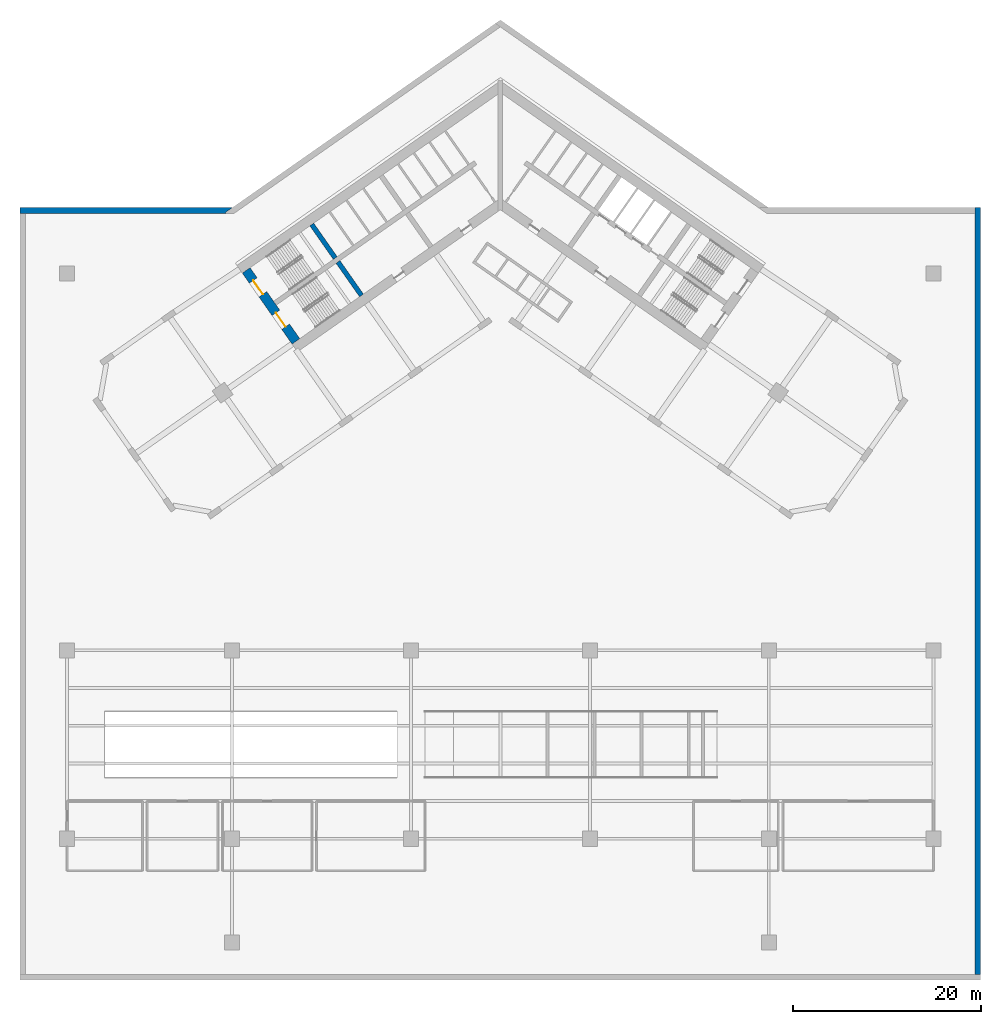
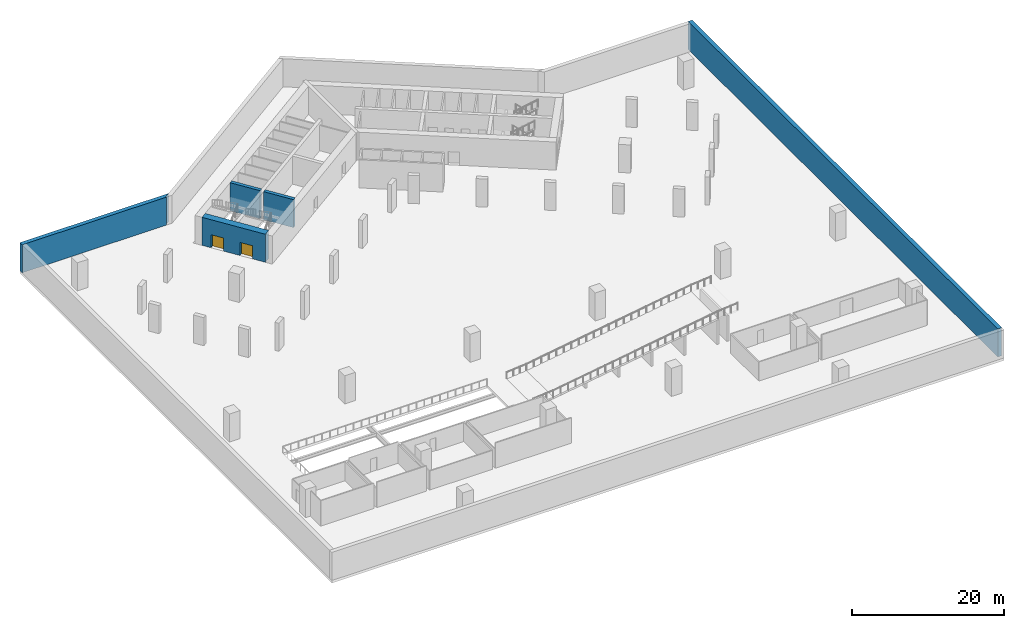
# One storey, part 6 of 11: 5 walls, 2 doors, 2 openings.
"""IFC4 building model written with IfcOpenShell, lengths in metres."""

from ifc_helpers import new_model, si_unit, direction, frame, frame_2d, origin, place, context, subcontext, project, spatial, polyline, rectangle, outline, extrude, material, layer, layer_set, type_object, element, fill, save


model = new_model("IFC4")

# Units and contexts
model_context = context("Model", 3, precision=1e-05, world=origin(), true_north=direction((0.0, 1.0)))
body_context = subcontext(model_context, "Body", "Model", "MODEL_VIEW")
ifc_project = project(units=[si_unit("LENGTHUNIT", "METRE"), si_unit("AREAUNIT", "SQUARE_METRE"), si_unit("VOLUMEUNIT", "CUBIC_METRE"), si_unit("PLANEANGLEUNIT", "RADIAN"), si_unit("MASSUNIT", "GRAM", prefix="KILO")], contexts=[model_context])

# Site, building, storey
site_placement = place(None, origin())
site = spatial("IfcSite", under=ifc_project, at=site_placement, CompositionType="ELEMENT")
building_placement = place(site_placement, origin())
building = spatial("IfcBuilding", under=site, at=building_placement, Name="Tel Ilan Convention Tower", CompositionType="ELEMENT")
storey_placement = place(building_placement, frame((0.0, 0.0, -4.5)))
storey = spatial("IfcBuildingStorey", under=building, at=storey_placement, Name="B1", CompositionType="ELEMENT", Elevation=-4.5)

# Walls
ifc_material_1 = material(Name="Concrete C40/50", Category="concrete")
ifc_layer_1 = layer(ifc_material_1, 0.60009765625)
ifc_layer_set_1 = layer_set([ifc_layer_1], Name="Basement Retaining Wall 600 mm C40/50")
wall_type_1 = type_object("IfcWallType", Name="Basement Retaining Wall 600 mm C40/50", PredefinedType="SOLIDWALL", material=ifc_layer_set_1)
wall_1_placement = place(storey_placement, frame((50.699951171875, -83.0, 0.0), z_axis=(0.0, 0.0, 1.0), x_axis=(0.0, 1.0, 0.0)))
element("IfcWall", 1, at=wall_1_placement, inside=storey, type_object=wall_type_1, Name="B1 retaining wall 2", PredefinedType="SOLIDWALL", context=body_context, shape_type="SweptSolid", body=[
    extrude(outline(polyline([(0.60009765625, -0.300048828125), (0.60009765625, 0.300048828125), (81.39990234375, 0.300048828125), (82.0, 0.300048828125), (82.0, -0.300048828125), (0.60009765625, -0.300048828125)])), origin(), (0.0, 0.0, 1.0), 4.5),
])
wall_2_placement = place(storey_placement, frame((-28.45166015625, -1.300048828125, 0.0), z_axis=(0.0, 0.0, 1.0), x_axis=(-1.0, 0.0, 0.0)))
element("IfcWall", 2, at=wall_2_placement, inside=storey, type_object=wall_type_1, Name="B1 retaining wall 6", PredefinedType="SOLIDWALL", context=body_context, shape_type="SweptSolid", body=[
    extrude(outline(polyline([(21.9482421875, 0.300048828125), (22.54833984375, 0.300048828125), (22.54833984375, -0.300048828125), (0.0, -0.300048828125), (0.737060546875, 0.216064453125), (0.678466796875, 0.300048828125), (21.9482421875, 0.300048828125)])), origin(), (0.0, 0.0, 1.0), 4.5),
])

# Wall, openings, doors
ifc_material_2 = material(Name="Concrete C60/75", Category="concrete")
ifc_layer_2 = layer(ifc_material_2, 1.0)
ifc_layer_set_2 = layer_set([ifc_layer_2], Name="Core Shear Wall 1000 mm C60/75")
wall_type_2 = type_object("IfcWallType", Name="Core Shear Wall 1000 mm C60/75", PredefinedType="SHEAR", material=ifc_layer_set_2)
wall_3_placement = place(storey_placement, frame((-21.70751953125, -15.19970703125, 0.0), z_axis=(0.0, 0.0, 1.0), x_axis=(-0.573576324356, 0.819152122709, 0.0)))
wall_3 = element("IfcWall", 3, at=wall_3_placement, inside=storey, type_object=wall_type_2, Name="B1 core wall W-end", PredefinedType="SHEAR", context=body_context, shape_type="SweptSolid", body=[
    extrude(outline(polyline([(0.0, 0.5), (0.0, -0.5), (9.199951171875, -0.5), (9.199951171875, 0.5), (0.0, 0.5)])), origin(), (0.0, 0.0, 1.0), 4.5),
])
opening_1_placement = place(wall_3_placement, frame((6.10009765625, 0.0, 0.0)))
opening_1 = element("IfcOpeningElement", 4, at=opening_1_placement, cuts=wall_3, Name="Opening SD0201", PredefinedType="OPENING", context=body_context, shape_type="SweptSolid", body=[
    extrude(rectangle(XDim=1.800048828125, YDim=2.10009765625, at=frame_2d((0.89990234375, 1.050048828125))), frame((0.0, 0.510009765625, 0.0), z_axis=(0.0, -1.0, 0.0), x_axis=(1.0, 0.0, 0.0)), (0.0, 0.0, 1.0), 1.02001953125),
])
opening_2_placement = place(wall_3_placement, frame((1.89990234375, 0.0, 0.0)))
opening_2 = element("IfcOpeningElement", 5, at=opening_2_placement, cuts=wall_3, Name="Opening SD0202", PredefinedType="OPENING", context=body_context, shape_type="SweptSolid", body=[
    extrude(rectangle(XDim=1.800048828125, YDim=2.10009765625, at=frame_2d((0.89990234375, 1.050048828125))), frame((0.0, 0.510009765625, 0.0), z_axis=(0.0, -1.0, 0.0), x_axis=(1.0, 0.0, 0.0)), (0.0, 0.0, 1.0), 1.02001953125),
])
ifc_material_3 = material(Name="Galvanised Steel Door Leaf", Category="steel")
door_type = type_object("IfcDoorType", Name="Stair Fire Door 1800 x 2100 FD60S", OperationType="NOTDEFINED", PredefinedType="DOOR", material=ifc_material_3)
door_1_placement = place(opening_1_placement, origin())
door_1 = element("IfcDoor", 6, at=door_1_placement, inside=storey, type_object=door_type, Name="Stair S1 door", OperationType="DOUBLE_DOOR_SINGLE_SWING", OverallHeight=2.10009765625, OverallWidth=1.800048828125, PredefinedType="DOOR", context=body_context, shape_type="SweptSolid", body=[
    extrude(rectangle(XDim=1.800048828125, YDim=2.10009765625, at=frame_2d((0.89990234375, 1.050048828125))), frame((0.0, 0.02490234375, 0.0), z_axis=(0.0, -1.0, 0.0), x_axis=(1.0, 0.0, 0.0)), (0.0, 0.0, 1.0), 0.050048828125),
])
fill(opening_1, door_1)
door_2_placement = place(opening_2_placement, origin())
door_2 = element("IfcDoor", 7, at=door_2_placement, inside=storey, type_object=door_type, Name="Stair S2 door", OperationType="DOUBLE_DOOR_SINGLE_SWING", OverallHeight=2.10009765625, OverallWidth=1.800048828125, PredefinedType="DOOR", context=body_context, shape_type="SweptSolid", body=[
    extrude(rectangle(XDim=1.800048828125, YDim=2.10009765625, at=frame_2d((0.89990234375, 1.050048828125))), frame((0.0, 0.02490234375, 0.0), z_axis=(0.0, -1.0, 0.0), x_axis=(1.0, 0.0, 0.0)), (0.0, 0.0, 1.0), 0.050048828125),
])
fill(opening_2, door_2)

# Walls
ifc_material_4 = material(Name="Concrete C60/75", Category="concrete")
ifc_layer_3 = layer(ifc_material_4, 0.5)
ifc_layer_set_3 = layer_set([ifc_layer_3], Name="Core Shear Wall 500 mm C60/75")
wall_type_3 = type_object("IfcWallType", Name="Core Shear Wall 500 mm C60/75", PredefinedType="SHEAR", material=ifc_layer_set_3)
wall_4_placement = place(storey_placement, frame((-14.74462890625, -10.324462890625, 0.0), z_axis=(0.0, 0.0, 1.0), x_axis=(-0.57356780395, 0.819158088694, 0.0)))
element("IfcWall", 8, at=wall_4_placement, inside=storey, type_object=wall_type_3, Name="B1 core wall W-cross2-1", PredefinedType="SHEAR", context=body_context, shape_type="SweptSolid", body=[
    extrude(outline(polyline([(4.35009765625, 0.250244140625), (0.0, 0.25), (0.0, -0.25), (4.35009765625, -0.25), (4.35009765625, 0.250244140625)])), origin(), (0.0, 0.0, 1.0), 4.5),
])
wall_5_placement = place(storey_placement, frame((-17.526611328125, -6.3515625, 0.0), z_axis=(0.0, 0.0, 1.0), x_axis=(-0.573530143085, 0.819184457233, 0.0)))
element("IfcWall", 9, at=wall_5_placement, inside=storey, type_object=wall_type_3, Name="B1 core wall W-cross2-2", PredefinedType="SHEAR", context=body_context, shape_type="SweptSolid", body=[
    extrude(outline(polyline([(4.35009765625, -0.249755859375), (4.35009765625, 0.250244140625), (0.0, 0.25), (0.0, -0.25), (4.35009765625, -0.249755859375)])), origin(), (0.0, 0.0, 1.0), 4.5),
])

save(model, "model.ifc")
